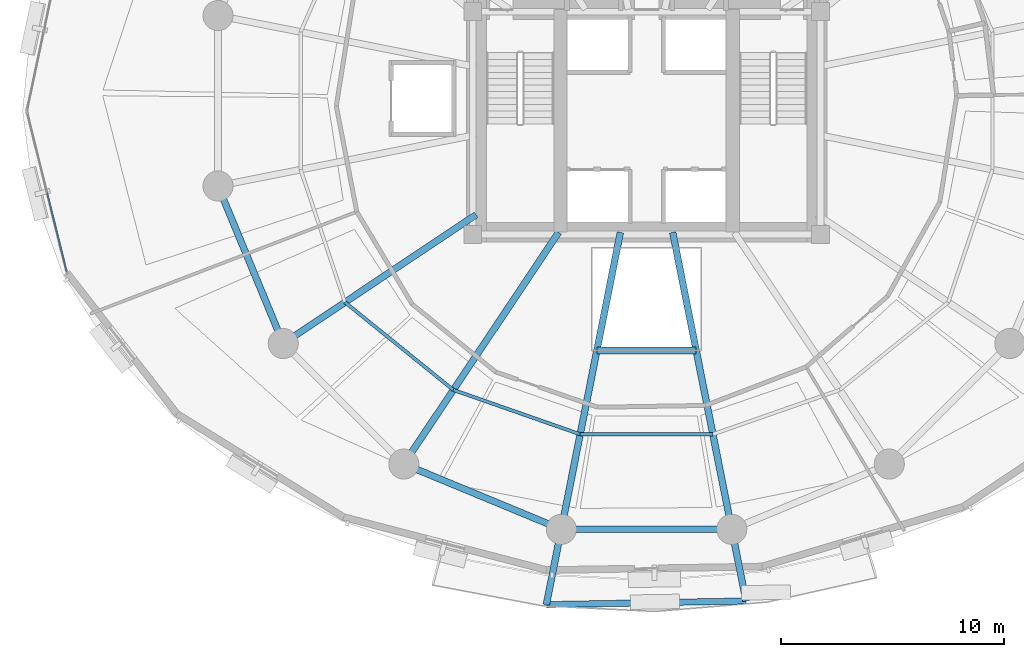
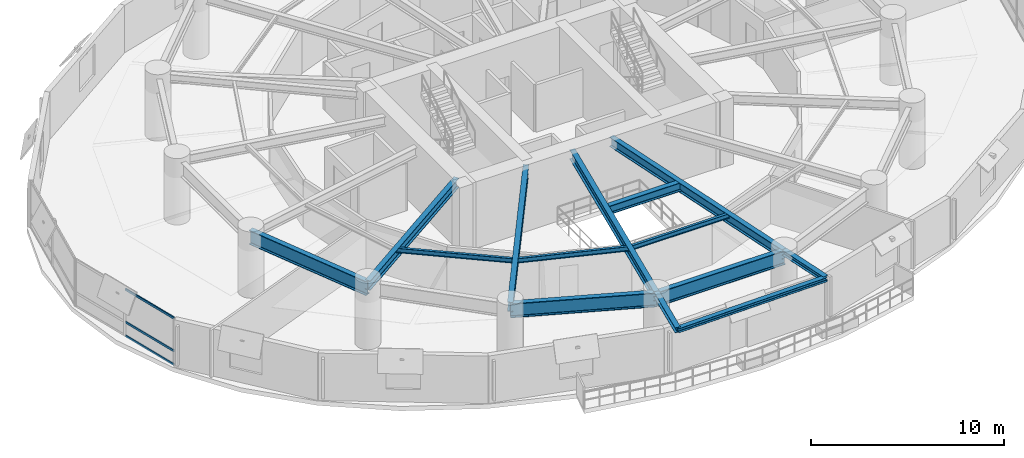
# One storey, part 3 of 17: 14 beams, 3 members, 1 element without a shape of its own.
"""IFC4 building model written with IfcOpenShell, lengths in metres."""

from ifc_helpers import new_model, si_unit, direction, frame, origin, origin_2d, place, context, subcontext, project, spatial, hollow_rectangle, i_section, extrude, material, layer, layer_set, material_profile, profile_set, type_object, element, aggregate, save


model = new_model("IFC4")

# Units and contexts
model_context = context("Model", 3, precision=1e-05, world=origin(), true_north=direction((0.0, 1.0)))
body_context = subcontext(model_context, "Body", "Model", "MODEL_VIEW")
ifc_project = project(units=[si_unit("LENGTHUNIT", "METRE"), si_unit("AREAUNIT", "SQUARE_METRE"), si_unit("VOLUMEUNIT", "CUBIC_METRE"), si_unit("PLANEANGLEUNIT", "RADIAN"), si_unit("MASSUNIT", "GRAM", prefix="KILO"), si_unit("THERMODYNAMICTEMPERATUREUNIT", "KELVIN"), si_unit("POWERUNIT", "WATT")], contexts=[model_context])

# Site, building, storey
site_placement = place(None, origin())
site = spatial("IfcSite", under=ifc_project, at=site_placement, CompositionType="ELEMENT")
building_placement = place(site_placement, origin())
building = spatial("IfcBuilding", under=site, at=building_placement, Name="Ocrelia Relay Tower", CompositionType="ELEMENT")
storey_placement = place(building_placement, frame((0.0, 0.0, 34.199951171875)))
storey = spatial("IfcBuildingStorey", under=building, at=storey_placement, Name="L07", CompositionType="ELEMENT", Elevation=34.199951171875)

# Beams
ifc_material_1 = material(Name="Steel S355", Category="steel")
ifc_material_profile_1 = material_profile(ifc_material_1, i_section(OverallWidth=0.280029296875, OverallDepth=0.27001953125, WebThickness=0.008056640625, FlangeThickness=0.012939453125, FilletRadius=0.02392578125, at=origin_2d()), Name="HEA 280")
ifc_profile_set_1 = profile_set([ifc_material_profile_1], Name="Steel S355")
beam_type_1 = type_object("IfcBeamType", Name="BM-HEA280", PredefinedType="BEAM", material=ifc_profile_set_1)
beam_1_placement = place(storey_placement, frame((29.503662109375, 3.39599609375, 3.78515625), z_axis=(0.999828370784, 0.018526439919, 0.0), x_axis=(-0.018526439919, 0.999828370784, 0.0)))
element("IfcBeam", 1, at=beam_1_placement, inside=storey, type_object=beam_type_1, Name="L08 Balcony Edge Trimmer Beam B2", PredefinedType="BEAM", context=body_context, shape_type="SweptSolid", body=[
    extrude(i_section(OverallWidth=0.280029296875, OverallDepth=0.27001953125, WebThickness=0.008056640625, FlangeThickness=0.012939453125, FilletRadius=0.02392578125, at=origin_2d()), origin(), (0.0, 0.0, 1.0), 8.9609375),
])
ifc_material_profile_2 = material_profile(ifc_material_1, i_section(OverallWidth=0.300048828125, OverallDepth=0.330078125, WebThickness=0.009521484375, FlangeThickness=0.0166015625, FilletRadius=0.027099609375, at=origin_2d()), Name="HEA 340")
ifc_profile_set_2 = profile_set([ifc_material_profile_2], Name="Steel S355")
beam_type_2 = type_object("IfcBeamType", Name="BM-HEA340", PredefinedType="BEAM", material=ifc_profile_set_2)
beam_2_placement = place(storey_placement, frame((30.17626953125, 6.776611328125, 3.755126953125), z_axis=(-0.195135320657, -0.980776328544, 0.0), x_axis=(0.980776328544, -0.195135320657, 0.0)))
element("IfcBeam", 2, at=beam_2_placement, inside=storey, type_object=beam_type_2, Name="L08 Balcony Cantilever Beam B2-1", PredefinedType="BEAM", context=body_context, shape_type="SweptSolid", body=[
    extrude(i_section(OverallWidth=0.300048828125, OverallDepth=0.330078125, WebThickness=0.009521484375, FlangeThickness=0.0166015625, FilletRadius=0.027099609375, at=origin_2d()), origin(), (0.0, 0.0, 1.0), 3.44677734375),
])
beam_3_placement = place(storey_placement, frame((37.82373046875, 6.776611328125, 3.755126953125), z_axis=(0.195084651288, -0.980786408364, 0.0), x_axis=(0.980786408364, 0.195084651288, 0.0)))
element("IfcBeam", 3, at=beam_3_placement, inside=storey, type_object=beam_type_2, Name="L08 Balcony Cantilever Beam B2-2", PredefinedType="BEAM", context=body_context, shape_type="SweptSolid", body=[
    extrude(i_section(OverallWidth=0.300048828125, OverallDepth=0.330078125, WebThickness=0.009521484375, FlangeThickness=0.0166015625, FilletRadius=0.027099609375, at=origin_2d()), origin(), (0.0, 0.0, 1.0), 3.277587890625),
])
ifc_material_profile_3 = material_profile(ifc_material_1, i_section(OverallWidth=0.300048828125, OverallDepth=0.550048828125, WebThickness=0.014892578125, FlangeThickness=0.029052734375, FilletRadius=0.027099609375, at=origin_2d()), Name="HEB 550")
ifc_profile_set_3 = profile_set([ifc_material_profile_3], Name="Steel S355")
beam_type_3 = type_object("IfcBeamType", Name="BM-HEB550", PredefinedType="BEAM", material=ifc_profile_set_3)
beam_4_placement = place(storey_placement, frame((31.772216796875, 14.800048828125, 3.64501953125), z_axis=(1.0, 0.0, 0.0), x_axis=(0.0, 1.0, 0.0)))
element("IfcBeam", 4, at=beam_4_placement, inside=storey, type_object=beam_type_3, Name="L07 Atrium South Trimmer Beam", PredefinedType="BEAM", context=body_context, shape_type="SweptSolid", body=[
    extrude(i_section(OverallWidth=0.300048828125, OverallDepth=0.550048828125, WebThickness=0.014892578125, FlangeThickness=0.029052734375, FilletRadius=0.027099609375, at=origin_2d()), origin(), (0.0, 0.0, 1.0), 4.45556640625),
])
ifc_material_profile_4 = material_profile(ifc_material_1, i_section(OverallWidth=0.300048828125, OverallDepth=0.60009765625, WebThickness=0.015380859375, FlangeThickness=0.030029296875, FilletRadius=0.027099609375, at=origin_2d()), Name="HEB 600")
ifc_profile_set_4 = profile_set([ifc_material_profile_4], Name="Steel S355")
beam_type_4 = type_object("IfcBeamType", Name="BM-HEB600", PredefinedType="BEAM", material=ifc_profile_set_4)
beam_5_placement = place(storey_placement, frame((17.703125, 15.11083984375, 3.6201171875), z_axis=(0.83146868639, 0.555571618743, 0.0), x_axis=(-0.555571618743, 0.83146868639, 0.0)))
element("IfcBeam", 5, at=beam_5_placement, inside=storey, type_object=beam_type_4, Name="L07 Radial Floor Girder R10", PredefinedType="BEAM", context=body_context, shape_type="SweptSolid", body=[
    extrude(i_section(OverallWidth=0.300048828125, OverallDepth=0.60009765625, WebThickness=0.015380859375, FlangeThickness=0.030029296875, FilletRadius=0.027099609375, at=origin_2d()), origin(), (0.0, 0.0, 1.0), 10.405517578125),
])
beam_6_placement = place(storey_placement, frame((23.11083984375, 9.703125, 3.6201171875), z_axis=(0.555569912646, 0.831469826369, 0.0), x_axis=(-0.831469826369, 0.555569912646, 0.0)))
element("IfcBeam", 6, at=beam_6_placement, inside=storey, type_object=beam_type_4, Name="L07 Radial Floor Girder R11", PredefinedType="BEAM", context=body_context, shape_type="SweptSolid", body=[
    extrude(i_section(OverallWidth=0.300048828125, OverallDepth=0.60009765625, WebThickness=0.015380859375, FlangeThickness=0.030029296875, FilletRadius=0.027099609375, at=origin_2d()), origin(), (0.0, 0.0, 1.0), 12.498046875),
])
for number, where, z_axis, x_axis, name in (
    (7, (30.17626953125, 6.776611328125, 3.6201171875), (0.195089155229, 0.980785512491, 0.0), (-0.980785512491, 0.195089155229, 0.0), "L07 Radial Floor Girder R12"),
    (8, (37.82373046875, 6.776611328125, 3.6201171875), (-0.195089155229, 0.980785512491, 0.0), (-0.980785512491, -0.195089155229, 0.0), "L07 Radial Floor Girder R13"),
):
    element("IfcBeam", number, at=place(storey_placement, frame(where, z_axis=z_axis, x_axis=x_axis)), inside=storey, type_object=beam_type_4, Name=name, PredefinedType="BEAM", context=body_context, shape_type="SweptSolid", body=[
        extrude(i_section(OverallWidth=0.300048828125, OverallDepth=0.60009765625, WebThickness=0.015380859375, FlangeThickness=0.030029296875, FilletRadius=0.027099609375, at=origin_2d()), origin(), (0.0, 0.0, 1.0), 13.579345703125),
    ])
ifc_material_profile_5 = material_profile(ifc_material_1, i_section(OverallWidth=0.300048828125, OverallDepth=0.89990234375, WebThickness=0.0185546875, FlangeThickness=0.034912109375, FilletRadius=0.030029296875, at=origin_2d()), Name="HEB 900")
ifc_profile_set_5 = profile_set([ifc_material_profile_5], Name="Steel S355")
beam_type_5 = type_object("IfcBeamType", Name="BM-HEB900", PredefinedType="BEAM", material=ifc_profile_set_5)
for number, where, z_axis, x_axis, name in (
    (9, (14.776611328125, 22.17626953125, 3.469970703125), (0.382674154222, -0.923883375589, 0.0), (0.923883375589, 0.382674154222, 0.0), "L07 Perimeter Spandrel Beam S09"),
    (10, (23.11083984375, 9.703125, 3.469970703125), (0.923883375589, -0.382674154222, 0.0), (0.382674154222, 0.923883375589, 0.0), "L07 Perimeter Spandrel Beam S11"),
    (11, (30.17626953125, 6.776611328125, 3.469970703125), (1.0, 0.0, 0.0), (0.0, 1.0, 0.0), "L07 Perimeter Spandrel Beam S12"),
):
    element("IfcBeam", number, at=place(storey_placement, frame(where, z_axis=z_axis, x_axis=x_axis)), inside=storey, type_object=beam_type_5, Name=name, PredefinedType="BEAM", context=body_context, shape_type="SweptSolid", body=[
        extrude(i_section(OverallWidth=0.300048828125, OverallDepth=0.89990234375, WebThickness=0.0185546875, FlangeThickness=0.034912109375, FilletRadius=0.030029296875, at=origin_2d()), origin(), (0.0, 0.0, 1.0), 7.6474609375),
    ])
ifc_material_profile_6 = material_profile(ifc_material_1, i_section(OverallWidth=0.14990234375, OverallDepth=0.300048828125, WebThickness=0.007080078125, FlangeThickness=0.0107421875, FilletRadius=0.014892578125, at=origin_2d()), Name="IPE 300")
ifc_profile_set_6 = profile_set([ifc_material_profile_6], Name="Steel S355")
beam_type_6 = type_object("IfcBeamType", Name="BM-IPE300", PredefinedType="JOIST", material=ifc_profile_set_6)
beam_7_placement = place(storey_placement, frame((20.4716796875, 16.960693359375, 3.77001953125), z_axis=(0.77748215158, -0.628905003935, 0.0), x_axis=(0.628905003935, 0.77748215158, 0.0)))
element("IfcBeam", 12, at=beam_7_placement, inside=storey, type_object=beam_type_6, Name="L07 Secondary Floor Joist J10", PredefinedType="JOIST", context=body_context, shape_type="SweptSolid", body=[
    extrude(i_section(OverallWidth=0.14990234375, OverallDepth=0.300048828125, WebThickness=0.007080078125, FlangeThickness=0.0107421875, FilletRadius=0.014892578125, at=origin_2d()), origin(), (0.0, 0.0, 1.0), 6.25244140625),
])
beam_8_placement = place(storey_placement, frame((25.332763671875, 13.028564453125, 3.77001953125), z_axis=(0.943957429675, -0.330067221882, 0.0), x_axis=(0.330067221882, 0.943957429675, 0.0)))
element("IfcBeam", 13, at=beam_8_placement, inside=storey, type_object=beam_type_6, Name="L07 Secondary Floor Joist J11", PredefinedType="JOIST", context=body_context, shape_type="SweptSolid", body=[
    extrude(i_section(OverallWidth=0.14990234375, OverallDepth=0.300048828125, WebThickness=0.007080078125, FlangeThickness=0.0107421875, FilletRadius=0.014892578125, at=origin_2d()), origin(), (0.0, 0.0, 1.0), 6.029052734375),
])
beam_9_placement = place(storey_placement, frame((31.02392578125, 11.03857421875, 3.77001953125), z_axis=(1.0, 0.0, 0.0), x_axis=(0.0, 1.0, 0.0)))
element("IfcBeam", 14, at=beam_9_placement, inside=storey, type_object=beam_type_6, Name="L07 Secondary Floor Joist J12", PredefinedType="JOIST", context=body_context, shape_type="SweptSolid", body=[
    extrude(i_section(OverallWidth=0.14990234375, OverallDepth=0.300048828125, WebThickness=0.007080078125, FlangeThickness=0.0107421875, FilletRadius=0.014892578125, at=origin_2d()), origin(), (0.0, 0.0, 1.0), 5.9521484375),
])

# Curtain wall, members
ifc_material_2 = material(Name="Aluminium and solar-control low-E glass", Category="aluminium")
ifc_layer = layer(ifc_material_2, 0.179931640625, Name="Aluminium and solar-control low-E glass")
ifc_layer_set = layer_set([ifc_layer], Name="Aluminium and solar-control low-E glass")
curtain_wall_type = type_object("IfcCurtainWallType", Name="CW-SYS-Z1-DATA", PredefinedType="NOTDEFINED", material=ifc_layer_set)
curtain_wall_placement = place(storey_placement, origin())
curtain_wall = element("IfcCurtainWall", 15, at=curtain_wall_placement, inside=storey, type_object=curtain_wall_type, Name="L07 Elliptical Tower Curtain Wall Bay 10", PredefinedType="NOTDEFINED")
ifc_material_3 = material(Name="Anodised bronze aluminium", Category="aluminium")
ifc_material_profile_7 = material_profile(ifc_material_3, hollow_rectangle(XDim=0.06494140625, YDim=0.139892578125, WallThickness=0.0048828125, at=origin_2d()), Name="CW-TRN-140x65")
ifc_profile_set_7 = profile_set([ifc_material_profile_7], Name="Anodised bronze aluminium")
member_type = type_object("IfcMemberType", Name="CW-SYS-Z1-DATA-TRN", PredefinedType="USERDEFINED", material=ifc_profile_set_7)
member_1_placement = place(storey_placement, frame((7.11083984375, 21.876953125, 0.032470703125), z_axis=(0.240400220296, -0.97067385567, 0.0), x_axis=(0.97067385567, 0.240400220296, 0.0)))
member_1 = element("IfcMember", 16, at=member_1_placement, type_object=member_type, Name="CW-Z1 transom 2.1", ObjectType="TRANSOM", PredefinedType="USERDEFINED", context=body_context, shape_type="SweptSolid", body=[
    extrude(hollow_rectangle(XDim=0.06494140625, YDim=0.139892578125, WallThickness=0.0048828125, at=origin_2d()), origin(), (0.0, 0.0, 1.0), 3.632568359375),
])
member_2_placement = place(storey_placement, frame((7.11083984375, 21.876953125, 0.900146484375), z_axis=(0.240400220296, -0.97067385567, 0.0), x_axis=(0.97067385567, 0.240400220296, 0.0)))
member_2 = element("IfcMember", 17, at=member_2_placement, type_object=member_type, Name="CW-Z1 transom 2.2", ObjectType="TRANSOM", PredefinedType="USERDEFINED", context=body_context, shape_type="SweptSolid", body=[
    extrude(hollow_rectangle(XDim=0.06494140625, YDim=0.139892578125, WallThickness=0.0048828125, at=origin_2d()), origin(), (0.0, 0.0, 1.0), 3.632568359375),
])
member_3_placement = place(storey_placement, frame((7.11083984375, 21.876953125, 2.967529296875), z_axis=(0.240400220296, -0.97067385567, 0.0), x_axis=(0.97067385567, 0.240400220296, 0.0)))
member_3 = element("IfcMember", 18, at=member_3_placement, type_object=member_type, Name="CW-Z1 transom 2.3", ObjectType="TRANSOM", PredefinedType="USERDEFINED", context=body_context, shape_type="SweptSolid", body=[
    extrude(hollow_rectangle(XDim=0.06494140625, YDim=0.139892578125, WallThickness=0.0048828125, at=origin_2d()), origin(), (0.0, 0.0, 1.0), 3.632568359375),
])
aggregate(curtain_wall, [member_1, member_2, member_3])

save(model, "model.ifc")
